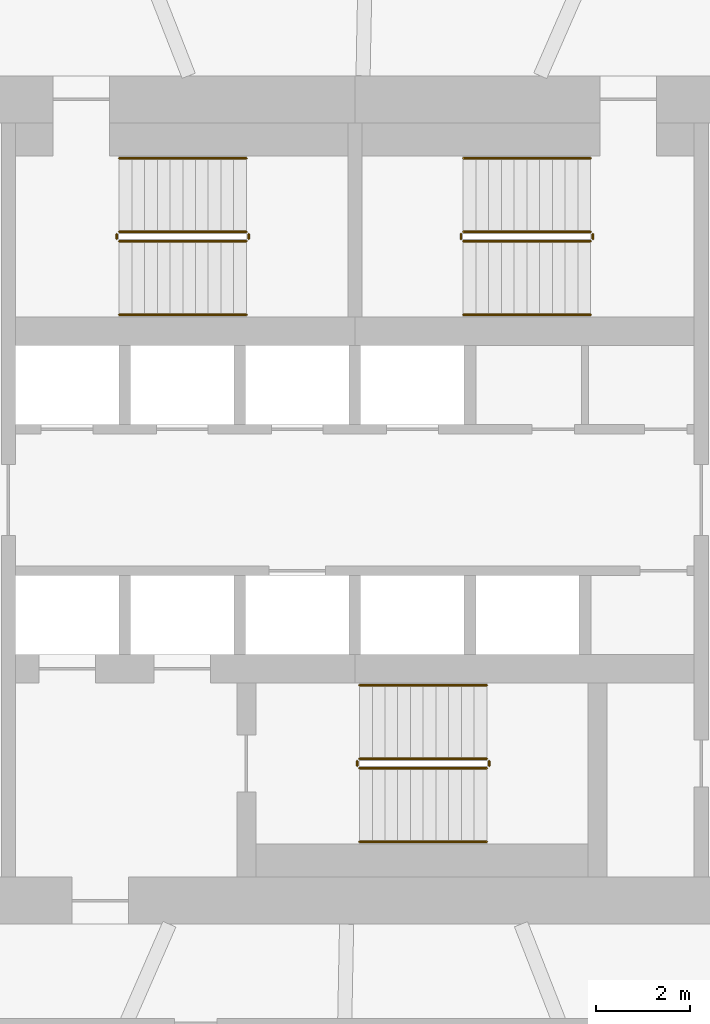
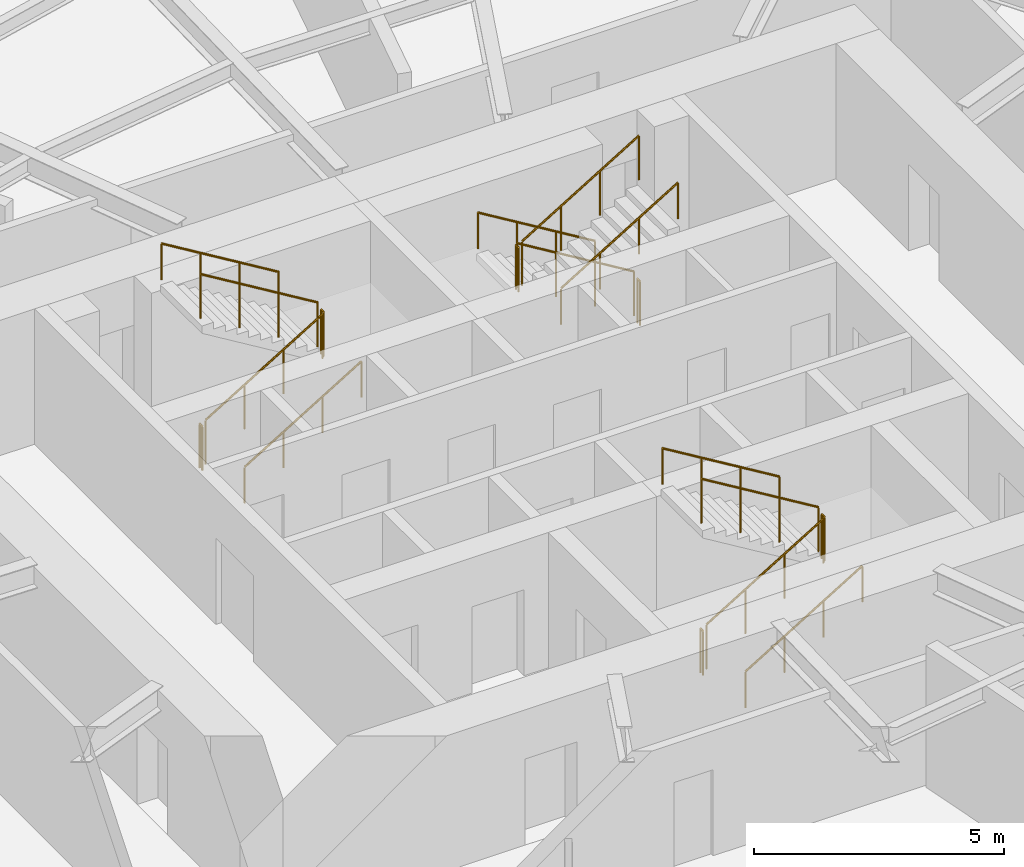
# One storey, part 13 of 14: 18 railings.
"""IFC4 building model written with IfcOpenShell, lengths in metres."""

import ifcopenshell
import ifcopenshell.guid

model = None  # the IFC model being written
_history = None  # IfcOwnerHistory: only IFC2X3 demands one
_inside = {}  # id of a spatial element -> (the spatial element, [elements in it])
_under = {}  # id of a project, library or spatial element -> (it, [spatial elements below it])
_declared = {}  # id of a project -> (the project, [libraries it declares])
_typed = {}  # id of a type object -> (the type object, [elements of that type])
_made_of = {}  # id of a material, layer set ... -> (it, [elements and type objects made of it])


def new_model(schema):
    """Start an empty IFC model of exactly this schema.

    Asked for "IFC4X3", IfcOpenShell would pick the latest addendum, in which some entities
    have other attributes; the version numbers below select the first issue.
    IFC2X3 requires an IfcOwnerHistory on every rooted entity: one is made here for all.
    """
    global model, _history
    if schema == "IFC4X3":
        model = ifcopenshell.file(schema_version=(4, 3, 0, 0))
    else:
        model = ifcopenshell.file(schema=schema)
    _inside.clear()
    _under.clear()
    _declared.clear()
    _typed.clear()
    _made_of.clear()
    _history = None
    if model.schema == "IFC2X3":
        org = make("IfcOrganization", Name="unknown")
        user = make(
            "IfcPersonAndOrganization",
            ThePerson=make("IfcPerson", FamilyName="unknown"),
            TheOrganization=org,
        )
        app = make(
            "IfcApplication",
            ApplicationDeveloper=org,
            Version="unknown",
            ApplicationFullName="unknown",
            ApplicationIdentifier="unknown",
        )
        _history = make(
            "IfcOwnerHistory",
            OwningUser=user,
            OwningApplication=app,
            ChangeAction="ADDED",
            CreationDate=0,
        )
    return model


def make(cls, **values):
    """One entity of the class cls with the attributes given. An attribute that is None is left unset."""
    return model.create_entity(
        cls, **{name: value for name, value in values.items() if value is not None}
    )


def rooted(cls, **values):
    """An entity with a GlobalId (a new one), such as an element, a storey or a relation."""
    return make(cls, GlobalId=ifcopenshell.guid.new(), OwnerHistory=_history, **values)


def si_unit(unit_type, name, prefix=None):
    """IfcSIUnit, for example si_unit("LENGTHUNIT", "METRE", prefix="MILLI")."""
    return make("IfcSIUnit", UnitType=unit_type, Prefix=prefix, Name=name)


def assignment(units):
    """IfcUnitAssignment: the units of a project."""
    return None if units is None else make("IfcUnitAssignment", Units=units)


def point(xyz):
    """IfcCartesianPoint."""
    return None if xyz is None else make("IfcCartesianPoint", Coordinates=xyz)


def direction(xyz):
    """IfcDirection."""
    return None if xyz is None else make("IfcDirection", DirectionRatios=xyz)


def frame(location, z_axis=None, x_axis=None):
    """IfcAxis2Placement3D, a coordinate frame: its origin and axes. An axis left out is left unset."""
    return make(
        "IfcAxis2Placement3D",
        Location=point(location),
        Axis=direction(z_axis),
        RefDirection=direction(x_axis),
    )


def frame_2d(location, x_axis=None):
    """IfcAxis2Placement2D, a coordinate frame in the plane: its origin and x axis."""
    return make(
        "IfcAxis2Placement2D", Location=point(location), RefDirection=direction(x_axis)
    )


def origin():
    """The frame at (0, 0, 0) with its axes left unset."""
    return frame((0.0, 0.0, 0.0))


def origin_2d():
    """The frame at (0, 0) in the plane with its x axis left unset."""
    return frame_2d((0.0, 0.0))


def place(relative_to, where):
    """IfcLocalPlacement: puts the frame where relative to a parent placement (None: the world)."""
    return make(
        "IfcLocalPlacement", PlacementRelTo=relative_to, RelativePlacement=where
    )


def context(
    kind, dimensions, precision=None, world=None, true_north=None, identifier=None
):
    """IfcGeometricRepresentationContext, for example the 3D "Model" context."""
    return make(
        "IfcGeometricRepresentationContext",
        ContextIdentifier=identifier,
        ContextType=kind,
        CoordinateSpaceDimension=dimensions,
        Precision=precision,
        WorldCoordinateSystem=world,
        TrueNorth=true_north,
    )


def subcontext(parent, identifier, kind, view, scale=None):
    """IfcGeometricRepresentationSubContext, for example "Body" below "Model"."""
    return make(
        "IfcGeometricRepresentationSubContext",
        ContextIdentifier=identifier,
        ContextType=kind,
        ParentContext=parent,
        TargetScale=scale,
        TargetView=view,
    )


def project(units=None, contexts=None):
    """IfcProject with its units and contexts."""
    return rooted(
        "IfcProject",
        Name="project",
        RepresentationContexts=contexts,
        UnitsInContext=assignment(units),
    )


def spatial(cls, under=None, at=None, **own):
    """A site, building, storey or space (cls), placed at a placement, below another one or the project."""
    s = rooted(cls, ObjectPlacement=at, **own)
    if under is not None:
        _under.setdefault(under.id(), (under, []))[1].append(s)
    return s


def profile(cls, at=None, kind="AREA", **sizes):
    """A parametric profile (cls). Its sizes go by their IFC names, for example OverallWidth=200.0."""
    return make(cls, ProfileType=kind, Position=at, **sizes)


def circle(**sizes):
    """IfcCircleProfileDef."""
    return profile("IfcCircleProfileDef", **sizes)


def extrude(swept, where, along, depth):
    """IfcExtrudedAreaSolid: the profile swept, set in the frame where, extruded along a direction by depth."""
    return make(
        "IfcExtrudedAreaSolid",
        SweptArea=swept,
        Position=where,
        ExtrudedDirection=direction(along),
        Depth=depth,
    )


def shape(context_of_items, identifier, shape_type, items):
    """IfcShapeRepresentation: the items that make up one representation, for example the "Body"."""
    return make(
        "IfcShapeRepresentation",
        ContextOfItems=context_of_items,
        RepresentationIdentifier=identifier,
        RepresentationType=shape_type,
        Items=items,
    )


def material(Name=None, Category=None):
    """IfcMaterial."""
    return make("IfcMaterial", Name=Name, Category=Category)


def made_of(thing, what):
    """Note that an element or type object is made of a material, layer set ...; save() writes the relation."""
    if what is not None:
        _made_of.setdefault(what.id(), (what, []))[1].append(thing)
    return thing


def type_object(cls, material=None, **own):
    """A type object (cls), such as IfcWallType, which elements share."""
    return made_of(rooted(cls, **own), material)


def element(
    cls,
    number,
    at=None,
    inside=None,
    cuts=None,
    type_object=None,
    material=None,
    context=None,
    identifier="Body",
    shape_type=None,
    held_by="IfcProductDefinitionShape",
    body=None,
    shapes=None,
    **own,
):
    """One element of the class cls, such as IfcWall. Its Tag is "e" and its number.

    at: its placement. inside: the storey or other place that contains it. cuts: it is an
    opening in that element (IfcRelVoidsElement). A single representation is given by context,
    identifier, shape_type and body (its items); several are given by shapes. held_by: the class
    of the entity that holds the representations. save() writes the other relations.
    """
    e = rooted(cls, Tag="e%d" % number, ObjectPlacement=at, **own)
    if body is not None:
        shapes = [shape(context, identifier, shape_type, body)]
    if shapes is not None:
        e.Representation = make(held_by, Representations=shapes)
    if inside is not None:
        _inside.setdefault(inside.id(), (inside, []))[1].append(e)
    if cuts is not None:
        rooted(
            "IfcRelVoidsElement", RelatingBuildingElement=cuts, RelatedOpeningElement=e
        )
    if type_object is not None:
        _typed.setdefault(type_object.id(), (type_object, []))[1].append(e)
    return made_of(e, material)


def aggregate(whole, parts):
    """IfcRelAggregates: a whole, such as a stair, and the parts it consists of."""
    return rooted("IfcRelAggregates", RelatingObject=whole, RelatedObjects=parts)


def save(model, path):
    """Write the relations noted so far, then the file.

    IfcRelAggregates (storeys below a building ...), IfcRelContainedInSpatialStructure (elements
    in a storey), IfcRelDefinesByType, IfcRelAssociatesMaterial and IfcRelDeclares: one each for
    every whole, place, type object, material and project.
    """
    for whole, parts in _under.values():
        aggregate(whole, parts)
    for where, things in _inside.values():
        rooted(
            "IfcRelContainedInSpatialStructure",
            RelatedElements=things,
            RelatingStructure=where,
        )
    for kind, things in _typed.values():
        rooted("IfcRelDefinesByType", RelatedObjects=things, RelatingType=kind)
    for what, things in _made_of.values():
        rooted("IfcRelAssociatesMaterial", RelatedObjects=things, RelatingMaterial=what)
    for by, libraries in _declared.values():
        rooted("IfcRelDeclares", RelatingContext=by, RelatedDefinitions=libraries)
    model.write(path)


model = new_model("IFC4")

# Units and contexts
model_context = context("Model", 3, precision=1e-05, world=origin(), true_north=direction((0.0, 1.0)))
body_context = subcontext(model_context, "Body", "Model", "MODEL_VIEW")
ifc_project = project(units=[si_unit("LENGTHUNIT", "METRE"), si_unit("AREAUNIT", "SQUARE_METRE"), si_unit("VOLUMEUNIT", "CUBIC_METRE"), si_unit("PLANEANGLEUNIT", "RADIAN"), si_unit("MASSUNIT", "GRAM", prefix="KILO")], contexts=[model_context])

# Site, building, storey
site_placement = place(None, origin())
site = spatial("IfcSite", under=ifc_project, at=site_placement, CompositionType="ELEMENT")
building_placement = place(site_placement, origin())
building = spatial("IfcBuilding", under=site, at=building_placement, Name="Vermilion Reach Broadcast Tower", CompositionType="ELEMENT")
storey_placement = place(building_placement, frame((0.0, 0.0, 150.60009765625)))
storey = spatial("IfcBuildingStorey", under=building, at=storey_placement, Name="L35", CompositionType="ELEMENT", Elevation=150.60009765625)

# Railings
ifc_material_1 = material(Name="Stainless steel", Category="steel")
railing_type_1 = type_object("IfcRailingType", Name="Stair guard 1100", PredefinedType="GUARDRAIL", material=ifc_material_1)
railing_1_placement = place(storey_placement, frame((-11.0, 5.489990234375, 0.16357421875)))
element("IfcRailing", 1, at=railing_1_placement, inside=storey, type_object=railing_type_1, Name="L35 ST1 stair guard 1", PredefinedType="GUARDRAIL", context=body_context, shape_type="SweptSolid", body=[
    extrude(circle(Radius=0.02392578125, at=origin_2d()), frame((0.0, 0.0, 1.076171875), z_axis=(0.855212373127, 0.0, 0.518277721738), x_axis=(0.0, 1.0, 0.0)), (0.0, 0.0, 1.0), 3.156982421875),
    extrude(circle(Radius=0.02099609375, at=origin_2d()), origin(), (0.0, 0.0, 1.0), 1.052001953125),
    extrude(circle(Radius=0.02099609375, at=origin_2d()), frame((0.89990234375, 0.0, 0.54541015625)), (0.0, 0.0, 1.0), 1.052001953125),
    extrude(circle(Radius=0.02099609375, at=origin_2d()), frame((1.800048828125, 0.0, 1.0908203125)), (0.0, 0.0, 1.0), 1.052001953125),
    extrude(circle(Radius=0.02099609375, at=origin_2d()), frame((2.699951171875, 0.0, 1.63623046875)), (0.0, 0.0, 1.0), 1.052001953125),
])
railing_2_placement = place(storey_placement, frame((-8.25, 5.5400390625, 1.7998046875)))
element("IfcRailing", 2, at=railing_2_placement, inside=storey, type_object=railing_type_1, Name="L35 ST1 stair guard 2", PredefinedType="GUARDRAIL", context=body_context, shape_type="SweptSolid", body=[
    extrude(circle(Radius=0.02392578125, at=origin_2d()), frame((0.0, 0.0, 1.076171875), z_axis=(0.0, 1.0, 0.0), x_axis=(-1.0, 0.0, 0.0)), (0.0, 0.0, 1.0), 0.099853515625),
    extrude(circle(Radius=0.02099609375, at=origin_2d()), origin(), (0.0, 0.0, 1.0), 1.052001953125),
    extrude(circle(Radius=0.02099609375, at=origin_2d()), frame((0.0, 0.099853515625, 0.0)), (0.0, 0.0, 1.0), 1.052001953125),
])
railing_3_placement = place(storey_placement, frame((-8.300048828125, 5.68994140625, 1.963623046875)))
element("IfcRailing", 3, at=railing_3_placement, inside=storey, type_object=railing_type_1, Name="L35 ST1 stair guard 3", PredefinedType="GUARDRAIL", context=body_context, shape_type="SweptSolid", body=[
    extrude(circle(Radius=0.02392578125, at=origin_2d()), frame((0.0, 0.0, 1.076171875), z_axis=(-0.855212373127, 0.0, 0.518277721738), x_axis=(0.0, -1.0, 0.0)), (0.0, 0.0, 1.0), 3.156982421875),
    extrude(circle(Radius=0.02099609375, at=origin_2d()), origin(), (0.0, 0.0, 1.0), 1.052001953125),
    extrude(circle(Radius=0.02099609375, at=origin_2d()), frame((-0.89990234375, 0.0, 0.54541015625)), (0.0, 0.0, 1.0), 1.052001953125),
    extrude(circle(Radius=0.02099609375, at=origin_2d()), frame((-1.800048828125, 0.0, 1.0908203125)), (0.0, 0.0, 1.0), 1.052001953125),
    extrude(circle(Radius=0.02099609375, at=origin_2d()), frame((-2.699951171875, 0.0, 1.63623046875)), (0.0, 0.0, 1.0), 1.052001953125),
])
railing_4_placement = place(storey_placement, frame((-11.050048828125, 5.5400390625, 0.0)))
element("IfcRailing", 4, at=railing_4_placement, inside=storey, type_object=railing_type_1, Name="L35 ST1 stair guard 4", PredefinedType="GUARDRAIL", context=body_context, shape_type="SweptSolid", body=[
    extrude(circle(Radius=0.02392578125, at=origin_2d()), frame((0.0, 0.0, 1.076171875), z_axis=(0.0, 1.0, 0.0), x_axis=(-1.0, 0.0, 0.0)), (0.0, 0.0, 1.0), 0.099853515625),
    extrude(circle(Radius=0.02099609375, at=origin_2d()), origin(), (0.0, 0.0, 1.0), 1.052001953125),
    extrude(circle(Radius=0.02099609375, at=origin_2d()), frame((0.0, 0.099853515625, 0.0)), (0.0, 0.0, 1.0), 1.052001953125),
])
railing_5_placement = place(storey_placement, frame((-1.0, 5.68994140625, 0.16357421875)))
element("IfcRailing", 5, at=railing_5_placement, inside=storey, type_object=railing_type_1, Name="L35 ST2 stair guard 1", PredefinedType="GUARDRAIL", context=body_context, shape_type="SweptSolid", body=[
    extrude(circle(Radius=0.02392578125, at=origin_2d()), frame((0.0, 0.0, 1.076171875), z_axis=(-0.855212373127, 0.0, 0.518277721738), x_axis=(0.0, -1.0, 0.0)), (0.0, 0.0, 1.0), 3.156982421875),
    extrude(circle(Radius=0.02099609375, at=origin_2d()), origin(), (0.0, 0.0, 1.0), 1.052001953125),
    extrude(circle(Radius=0.02099609375, at=origin_2d()), frame((-0.89990234375, 0.0, 0.54541015625)), (0.0, 0.0, 1.0), 1.052001953125),
    extrude(circle(Radius=0.02099609375, at=origin_2d()), frame((-1.800048828125, 0.0, 1.0908203125)), (0.0, 0.0, 1.0), 1.052001953125),
    extrude(circle(Radius=0.02099609375, at=origin_2d()), frame((-2.699951171875, 0.0, 1.63623046875)), (0.0, 0.0, 1.0), 1.052001953125),
])
railing_6_placement = place(storey_placement, frame((-3.75, 5.639892578125, 1.7998046875)))
element("IfcRailing", 6, at=railing_6_placement, inside=storey, type_object=railing_type_1, Name="L35 ST2 stair guard 2", PredefinedType="GUARDRAIL", context=body_context, shape_type="SweptSolid", body=[
    extrude(circle(Radius=0.02392578125, at=origin_2d()), frame((0.0, 0.0, 1.076171875), z_axis=(0.0, -1.0, 0.0), x_axis=(1.0, 0.0, 0.0)), (0.0, 0.0, 1.0), 0.099853515625),
    extrude(circle(Radius=0.02099609375, at=origin_2d()), origin(), (0.0, 0.0, 1.0), 1.052001953125),
    extrude(circle(Radius=0.02099609375, at=origin_2d()), frame((0.0, -0.099853515625, 0.0)), (0.0, 0.0, 1.0), 1.052001953125),
])
railing_7_placement = place(storey_placement, frame((-3.699951171875, 5.489990234375, 1.963623046875)))
element("IfcRailing", 7, at=railing_7_placement, inside=storey, type_object=railing_type_1, Name="L35 ST2 stair guard 3", PredefinedType="GUARDRAIL", context=body_context, shape_type="SweptSolid", body=[
    extrude(circle(Radius=0.02392578125, at=origin_2d()), frame((0.0, 0.0, 1.076171875), z_axis=(0.855212373127, 0.0, 0.518277721738), x_axis=(0.0, 1.0, 0.0)), (0.0, 0.0, 1.0), 3.156982421875),
    extrude(circle(Radius=0.02099609375, at=origin_2d()), origin(), (0.0, 0.0, 1.0), 1.052001953125),
    extrude(circle(Radius=0.02099609375, at=origin_2d()), frame((0.89990234375, 0.0, 0.54541015625)), (0.0, 0.0, 1.0), 1.052001953125),
    extrude(circle(Radius=0.02099609375, at=origin_2d()), frame((1.800048828125, 0.0, 1.0908203125)), (0.0, 0.0, 1.0), 1.052001953125),
    extrude(circle(Radius=0.02099609375, at=origin_2d()), frame((2.699951171875, 0.0, 1.63623046875)), (0.0, 0.0, 1.0), 1.052001953125),
])
railing_8_placement = place(storey_placement, frame((-0.949951171875, 5.639892578125, 0.0)))
element("IfcRailing", 8, at=railing_8_placement, inside=storey, type_object=railing_type_1, Name="L35 ST2 stair guard 4", PredefinedType="GUARDRAIL", context=body_context, shape_type="SweptSolid", body=[
    extrude(circle(Radius=0.02392578125, at=origin_2d()), frame((0.0, 0.0, 1.076171875), z_axis=(0.0, -1.0, 0.0), x_axis=(1.0, 0.0, 0.0)), (0.0, 0.0, 1.0), 0.099853515625),
    extrude(circle(Radius=0.02099609375, at=origin_2d()), origin(), (0.0, 0.0, 1.0), 1.052001953125),
    extrude(circle(Radius=0.02099609375, at=origin_2d()), frame((0.0, -0.099853515625, 0.0)), (0.0, 0.0, 1.0), 1.052001953125),
])
railing_9_placement = place(storey_placement, frame((-5.89990234375, -5.68994140625, 0.16357421875)))
element("IfcRailing", 9, at=railing_9_placement, inside=storey, type_object=railing_type_1, Name="L35 ST3 stair guard 1", PredefinedType="GUARDRAIL", context=body_context, shape_type="SweptSolid", body=[
    extrude(circle(Radius=0.02392578125, at=origin_2d()), frame((0.0, 0.0, 1.076171875), z_axis=(0.855212373127, 0.0, 0.518277721738), x_axis=(0.0, 1.0, 0.0)), (0.0, 0.0, 1.0), 3.156982421875),
    extrude(circle(Radius=0.02099609375, at=origin_2d()), origin(), (0.0, 0.0, 1.0), 1.052001953125),
    extrude(circle(Radius=0.02099609375, at=origin_2d()), frame((0.89990234375, 0.0, 0.54541015625)), (0.0, 0.0, 1.0), 1.052001953125),
    extrude(circle(Radius=0.02099609375, at=origin_2d()), frame((1.800048828125, 0.0, 1.0908203125)), (0.0, 0.0, 1.0), 1.052001953125),
    extrude(circle(Radius=0.02099609375, at=origin_2d()), frame((2.699951171875, 0.0, 1.63623046875)), (0.0, 0.0, 1.0), 1.052001953125),
])
railing_10_placement = place(storey_placement, frame((-3.14990234375, -5.639892578125, 1.7998046875)))
element("IfcRailing", 10, at=railing_10_placement, inside=storey, type_object=railing_type_1, Name="L35 ST3 stair guard 2", PredefinedType="GUARDRAIL", context=body_context, shape_type="SweptSolid", body=[
    extrude(circle(Radius=0.02392578125, at=origin_2d()), frame((0.0, 0.0, 1.076171875), z_axis=(0.0, 1.0, 0.0), x_axis=(-1.0, 0.0, 0.0)), (0.0, 0.0, 1.0), 0.099853515625),
    extrude(circle(Radius=0.02099609375, at=origin_2d()), origin(), (0.0, 0.0, 1.0), 1.052001953125),
    extrude(circle(Radius=0.02099609375, at=origin_2d()), frame((0.0, 0.099853515625, 0.0)), (0.0, 0.0, 1.0), 1.052001953125),
])
railing_11_placement = place(storey_placement, frame((-3.199951171875, -5.489990234375, 1.963623046875)))
element("IfcRailing", 11, at=railing_11_placement, inside=storey, type_object=railing_type_1, Name="L35 ST3 stair guard 3", PredefinedType="GUARDRAIL", context=body_context, shape_type="SweptSolid", body=[
    extrude(circle(Radius=0.02392578125, at=origin_2d()), frame((0.0, 0.0, 1.076171875), z_axis=(-0.855212373127, 0.0, 0.518277721738), x_axis=(0.0, -1.0, 0.0)), (0.0, 0.0, 1.0), 3.156982421875),
    extrude(circle(Radius=0.02099609375, at=origin_2d()), origin(), (0.0, 0.0, 1.0), 1.052001953125),
    extrude(circle(Radius=0.02099609375, at=origin_2d()), frame((-0.89990234375, 0.0, 0.54541015625)), (0.0, 0.0, 1.0), 1.052001953125),
    extrude(circle(Radius=0.02099609375, at=origin_2d()), frame((-1.800048828125, 0.0, 1.0908203125)), (0.0, 0.0, 1.0), 1.052001953125),
    extrude(circle(Radius=0.02099609375, at=origin_2d()), frame((-2.699951171875, 0.0, 1.63623046875)), (0.0, 0.0, 1.0), 1.052001953125),
])
railing_12_placement = place(storey_placement, frame((-5.949951171875, -5.639892578125, 0.0)))
element("IfcRailing", 12, at=railing_12_placement, inside=storey, type_object=railing_type_1, Name="L35 ST3 stair guard 4", PredefinedType="GUARDRAIL", context=body_context, shape_type="SweptSolid", body=[
    extrude(circle(Radius=0.02392578125, at=origin_2d()), frame((0.0, 0.0, 1.076171875), z_axis=(0.0, 1.0, 0.0), x_axis=(-1.0, 0.0, 0.0)), (0.0, 0.0, 1.0), 0.099853515625),
    extrude(circle(Radius=0.02099609375, at=origin_2d()), origin(), (0.0, 0.0, 1.0), 1.052001953125),
    extrude(circle(Radius=0.02099609375, at=origin_2d()), frame((0.0, 0.099853515625, 0.0)), (0.0, 0.0, 1.0), 1.052001953125),
])
ifc_material_2 = material(Name="Stainless steel", Category="steel")
railing_type_2 = type_object("IfcRailingType", Name="Stair handrail", PredefinedType="HANDRAIL", material=ifc_material_2)
railing_13_placement = place(storey_placement, frame((-11.0, 3.929931640625, 0.16357421875)))
element("IfcRailing", 13, at=railing_13_placement, inside=storey, type_object=railing_type_2, Name="L35 ST1 stair handrail 1", PredefinedType="HANDRAIL", context=body_context, shape_type="SweptSolid", body=[
    extrude(circle(Radius=0.02392578125, at=origin_2d()), frame((0.0, 0.0, 0.8759765625), z_axis=(0.855212373127, 0.0, 0.518277721738), x_axis=(0.0, 1.0, 0.0)), (0.0, 0.0, 1.0), 3.156982421875),
    extrude(circle(Radius=0.02099609375, at=origin_2d()), origin(), (0.0, 0.0, 1.0), 0.851806640625),
    extrude(circle(Radius=0.02099609375, at=origin_2d()), frame((0.89990234375, 0.0, 0.54541015625)), (0.0, 0.0, 1.0), 0.851806640625),
    extrude(circle(Radius=0.02099609375, at=origin_2d()), frame((1.800048828125, 0.0, 1.0908203125)), (0.0, 0.0, 1.0), 0.851806640625),
    extrude(circle(Radius=0.02099609375, at=origin_2d()), frame((2.699951171875, 0.0, 1.63623046875)), (0.0, 0.0, 1.0), 0.851806640625),
])
for number, where, name in (
    (14, (-8.300048828125, 7.25, 1.963623046875), "L35 ST1 stair handrail 2"),
    (15, (-1.0, 7.25, 0.16357421875), "L35 ST2 stair handrail 1"),
):
    element("IfcRailing", number, at=place(storey_placement, frame(where)), inside=storey, type_object=railing_type_2, Name=name, PredefinedType="HANDRAIL", context=body_context, shape_type="SweptSolid", body=[
        extrude(circle(Radius=0.02392578125, at=origin_2d()), frame((0.0, 0.0, 0.8759765625), z_axis=(-0.855212373127, 0.0, 0.518277721738), x_axis=(0.0, -1.0, 0.0)), (0.0, 0.0, 1.0), 3.156982421875),
        extrude(circle(Radius=0.02099609375, at=origin_2d()), origin(), (0.0, 0.0, 1.0), 0.851806640625),
        extrude(circle(Radius=0.02099609375, at=origin_2d()), frame((-0.89990234375, 0.0, 0.54541015625)), (0.0, 0.0, 1.0), 0.851806640625),
        extrude(circle(Radius=0.02099609375, at=origin_2d()), frame((-1.800048828125, 0.0, 1.0908203125)), (0.0, 0.0, 1.0), 0.851806640625),
        extrude(circle(Radius=0.02099609375, at=origin_2d()), frame((-2.699951171875, 0.0, 1.63623046875)), (0.0, 0.0, 1.0), 0.851806640625),
    ])
for number, where, name in (
    (16, (-3.699951171875, 3.929931640625, 1.963623046875), "L35 ST2 stair handrail 2"),
    (17, (-5.89990234375, -7.25, 0.16357421875), "L35 ST3 stair handrail 1"),
):
    element("IfcRailing", number, at=place(storey_placement, frame(where)), inside=storey, type_object=railing_type_2, Name=name, PredefinedType="HANDRAIL", context=body_context, shape_type="SweptSolid", body=[
        extrude(circle(Radius=0.02392578125, at=origin_2d()), frame((0.0, 0.0, 0.8759765625), z_axis=(0.855212373127, 0.0, 0.518277721738), x_axis=(0.0, 1.0, 0.0)), (0.0, 0.0, 1.0), 3.156982421875),
        extrude(circle(Radius=0.02099609375, at=origin_2d()), origin(), (0.0, 0.0, 1.0), 0.851806640625),
        extrude(circle(Radius=0.02099609375, at=origin_2d()), frame((0.89990234375, 0.0, 0.54541015625)), (0.0, 0.0, 1.0), 0.851806640625),
        extrude(circle(Radius=0.02099609375, at=origin_2d()), frame((1.800048828125, 0.0, 1.0908203125)), (0.0, 0.0, 1.0), 0.851806640625),
        extrude(circle(Radius=0.02099609375, at=origin_2d()), frame((2.699951171875, 0.0, 1.63623046875)), (0.0, 0.0, 1.0), 0.851806640625),
    ])
railing_14_placement = place(storey_placement, frame((-3.199951171875, -3.929931640625, 1.963623046875)))
element("IfcRailing", 18, at=railing_14_placement, inside=storey, type_object=railing_type_2, Name="L35 ST3 stair handrail 2", PredefinedType="HANDRAIL", context=body_context, shape_type="SweptSolid", body=[
    extrude(circle(Radius=0.02392578125, at=origin_2d()), frame((0.0, 0.0, 0.8759765625), z_axis=(-0.855212373127, 0.0, 0.518277721738), x_axis=(0.0, -1.0, 0.0)), (0.0, 0.0, 1.0), 3.156982421875),
    extrude(circle(Radius=0.02099609375, at=origin_2d()), origin(), (0.0, 0.0, 1.0), 0.851806640625),
    extrude(circle(Radius=0.02099609375, at=origin_2d()), frame((-0.89990234375, 0.0, 0.54541015625)), (0.0, 0.0, 1.0), 0.851806640625),
    extrude(circle(Radius=0.02099609375, at=origin_2d()), frame((-1.800048828125, 0.0, 1.0908203125)), (0.0, 0.0, 1.0), 0.851806640625),
    extrude(circle(Radius=0.02099609375, at=origin_2d()), frame((-2.699951171875, 0.0, 1.63623046875)), (0.0, 0.0, 1.0), 0.851806640625),
])

save(model, "model.ifc")
